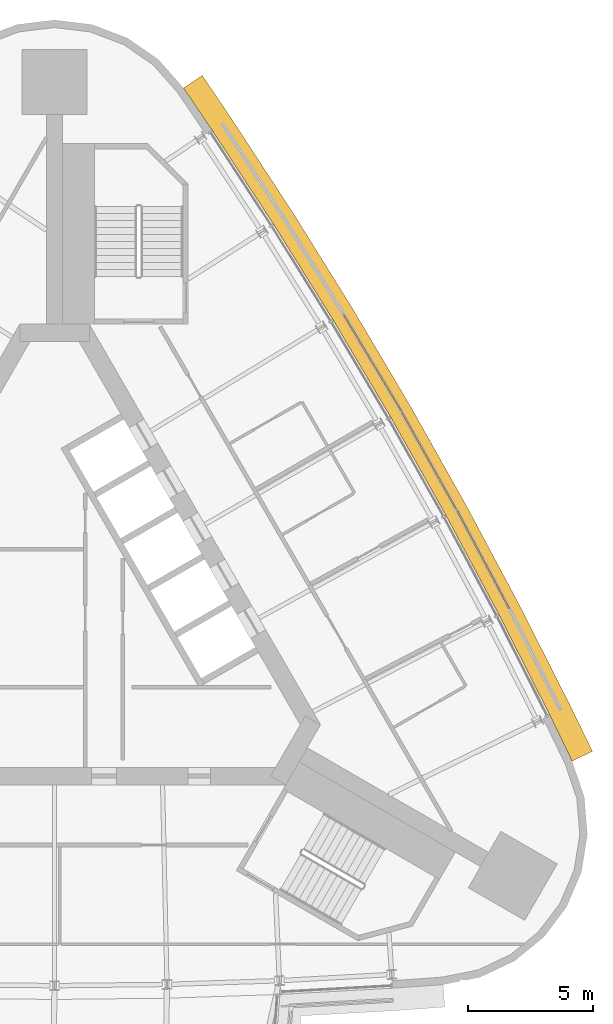
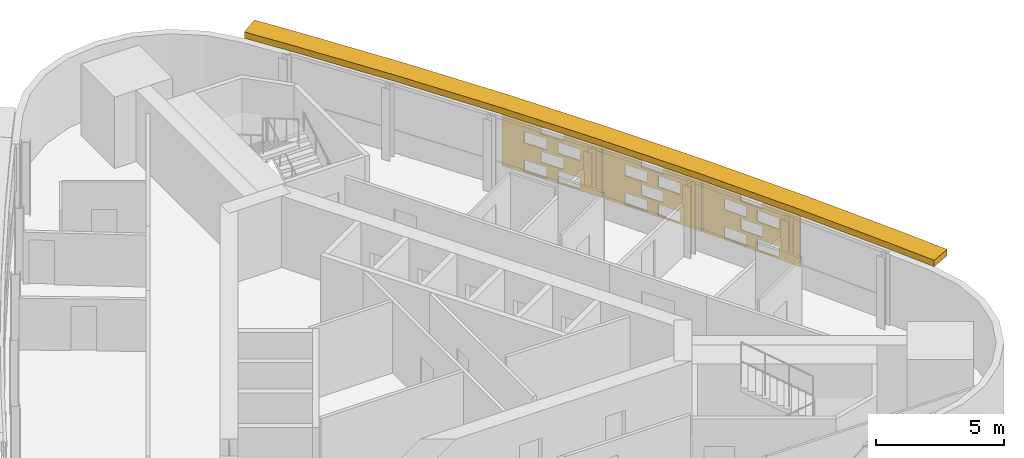
# One storey, part 15 of 15: 4 shading devices.
"""IFC4 building model written with IfcOpenShell, lengths in metres."""

from ifc_helpers import new_model, si_unit, direction, frame, origin, place, context, subcontext, project, spatial, polyline, outline, extrude, material, material_profile, profile_set, type_object, element, save


model = new_model("IFC4")

# Units and contexts
model_context = context("Model", 3, precision=1e-05, world=origin(), true_north=direction((0.0, 1.0)))
body_context = subcontext(model_context, "Body", "Model", "MODEL_VIEW")
ifc_project = project(units=[si_unit("LENGTHUNIT", "METRE"), si_unit("AREAUNIT", "SQUARE_METRE"), si_unit("VOLUMEUNIT", "CUBIC_METRE"), si_unit("PLANEANGLEUNIT", "RADIAN"), si_unit("MASSUNIT", "GRAM", prefix="KILO")], contexts=[model_context])

# Site, building, storey
site_placement = place(None, origin())
site = spatial("IfcSite", under=ifc_project, at=site_placement, CompositionType="ELEMENT")
building_placement = place(site_placement, origin())
building = spatial("IfcBuilding", under=site, at=building_placement, Name="Noor Cloister Tower", CompositionType="ELEMENT")
storey_placement = place(building_placement, frame((0.0, 0.0, 225.60009765625)))
storey = spatial("IfcBuildingStorey", under=building, at=storey_placement, Name="L58", CompositionType="ELEMENT", Elevation=225.60009765625)

# Shading devices
ifc_material_1 = material(Name="Limestone", Category="masonry")
ifc_material_profile = material_profile(ifc_material_1, outline(polyline([(-2.22998046875, -1.35009765625), (2.22998046875, -1.35009765625), (2.22998046875, 1.35009765625), (-2.22998046875, 1.35009765625), (-2.22998046875, -1.35009765625)]), holes=[polyline([(-1.25, -1.282470703125), (-0.25, -1.282470703125), (-0.25, -0.742431640625), (-1.25, -0.742431640625), (-1.25, -1.282470703125)]), polyline([(0.25, -1.282470703125), (1.25, -1.282470703125), (1.25, -0.742431640625), (0.25, -0.742431640625), (0.25, -1.282470703125)]), polyline([(-0.5, -0.607421875), (0.5, -0.607421875), (0.5, -0.0673828125), (-0.5, -0.0673828125), (-0.5, -0.607421875)]), polyline([(-1.25, 0.0673828125), (-0.25, 0.0673828125), (-0.25, 0.607421875), (-1.25, 0.607421875), (-1.25, 0.0673828125)]), polyline([(0.25, 0.0673828125), (1.25, 0.0673828125), (1.25, 0.607421875), (0.25, 0.607421875), (0.25, 0.0673828125)]), polyline([(-0.5, 0.742431640625), (0.5, 0.742431640625), (0.5, 1.282470703125), (-0.5, 1.282470703125), (-0.5, 0.742431640625)])]), Name="Woven screen 35 percent open")
ifc_profile_set = profile_set([ifc_material_profile], Name="Limestone")
shading_device_type_1 = type_object("IfcShadingDeviceType", Name="SCREEN woven limestone 35 percent open", PredefinedType="USERDEFINED", material=ifc_profile_set)
for number, where, z_axis, x_axis, name in (
    (1, (17.07861328125, 2.05078125, 1.849853515625), (0.882692078165, 0.469951800875, 0.0), (-0.469951800875, 0.882692078165, 0.0), "SCREEN L58 2"),
    (2, (14.91064453125, 6.005126953125, 1.849853515625), (0.872227864306, 0.489099736994, 0.0), (-0.489099736994, 0.872227864306, 0.0), "SCREEN L58 3"),
):
    element("IfcShadingDevice", number, at=place(storey_placement, frame(where, z_axis=z_axis, x_axis=x_axis)), inside=storey, type_object=shading_device_type_1, Name=name, ObjectType="SCREEN", PredefinedType="USERDEFINED", context=body_context, shape_type="SweptSolid", body=[
        extrude(outline(polyline([(-2.22998046875, -1.35009765625), (2.22998046875, -1.35009765625), (2.22998046875, 1.35009765625), (-2.22998046875, 1.35009765625), (-2.22998046875, -1.35009765625)]), holes=[polyline([(-1.25, -1.282470703125), (-0.25, -1.282470703125), (-0.25, -0.742431640625), (-1.25, -0.742431640625), (-1.25, -1.282470703125)]), polyline([(0.25, -1.282470703125), (1.25, -1.282470703125), (1.25, -0.742431640625), (0.25, -0.742431640625), (0.25, -1.282470703125)]), polyline([(-0.5, -0.607421875), (0.5, -0.607421875), (0.5, -0.0673828125), (-0.5, -0.0673828125), (-0.5, -0.607421875)]), polyline([(-1.25, 0.0673828125), (-0.25, 0.0673828125), (-0.25, 0.607421875), (-1.25, 0.607421875), (-1.25, 0.0673828125)]), polyline([(0.25, 0.0673828125), (1.25, 0.0673828125), (1.25, 0.607421875), (0.25, 0.607421875), (0.25, 0.0673828125)]), polyline([(-0.5, 0.742431640625), (0.5, 0.742431640625), (0.5, 1.282470703125), (-0.5, 1.282470703125), (-0.5, 0.742431640625)])]), origin(), (0.0, 0.0, 1.0), 0.059814453125),
    ])
shading_device_1_placement = place(storey_placement, frame((12.656005859375, 9.910400390625, 1.849853515625), z_axis=(0.858568146325, 0.512699461786, 0.0), x_axis=(-0.512699461786, 0.858568146325, 0.0)))
element("IfcShadingDevice", 3, at=shading_device_1_placement, inside=storey, type_object=shading_device_type_1, Name="SCREEN L58 4", ObjectType="SCREEN", PredefinedType="USERDEFINED", context=body_context, shape_type="SweptSolid", body=[
    extrude(outline(polyline([(-2.22998046875, -1.35009765625), (2.22998046875, -1.35009765625), (2.22998046875, 1.35009765625), (-2.22998046875, 1.35009765625), (-2.22998046875, -1.35009765625)]), holes=[polyline([(-1.25, -1.282470703125), (-0.25, -1.282470703125), (-0.25, -0.742431640625), (-1.25, -0.742431640625), (-1.25, -1.282470703125)]), polyline([(0.25, -1.282470703125), (1.25, -1.282470703125), (1.25, -0.742431640625), (0.25, -0.742431640625), (0.25, -1.282470703125)]), polyline([(-0.5, -0.607421875), (0.5, -0.607421875), (0.5, -0.0673828125), (-0.5, -0.0673828125), (-0.5, -0.607421875)]), polyline([(-1.25, 0.0673828125), (-0.25, 0.0673828125), (-0.25, 0.607421875), (-1.25, 0.607421875), (-1.25, 0.0673828125)]), polyline([(0.25, 0.0673828125), (1.25, 0.0673828125), (1.25, 0.607421875), (0.25, 0.607421875), (0.25, 0.0673828125)]), polyline([(-0.5, 0.742431640625), (0.5, 0.742431640625), (0.5, 1.282470703125), (-0.5, 1.282470703125), (-0.5, 0.742431640625)])]), origin(), (0.0, 0.0, 1.0), 0.06005859375),
])
ifc_material_2 = material(Name="Limestone", Category="masonry")
shading_device_type_2 = type_object("IfcShadingDeviceType", Name="SUNSHADE limestone band 900", PredefinedType="USERDEFINED", material=ifc_material_2)
shading_device_2_placement = place(storey_placement, frame((0.0, 0.0, 3.2998046875)))
element("IfcShadingDevice", 4, at=shading_device_2_placement, inside=storey, type_object=shading_device_type_2, Name="SUNSHADE L58 3", ObjectType="SUNSHADE", PredefinedType="USERDEFINED", context=body_context, shape_type="SweptSolid", body=[
    extrude(outline(polyline([(21.46533203125, -5.587158203125), (20.57861328125, -3.76171875), (18.539794921875, 0.26904296875), (16.4111328125, 4.256103515625), (14.194580078125, 8.1953125), (11.8916015625, 12.084228515625), (9.5029296875, 15.92138671875), (7.031494140625, 19.702392578125), (5.89404296875, 21.38330078125), (5.148681640625, 20.87890625), (6.2822265625, 19.2041015625), (8.744140625, 15.437255859375), (11.122314453125, 11.6171875), (13.415283203125, 7.745361328125), (15.621826171875, 3.823486328125), (17.7412109375, -0.14599609375), (19.772216796875, -4.16162109375), (20.65576171875, -5.98046875), (21.46533203125, -5.587158203125)])), origin(), (0.0, 0.0, 1.0), 0.300048828125),
])

save(model, "model.ifc")
